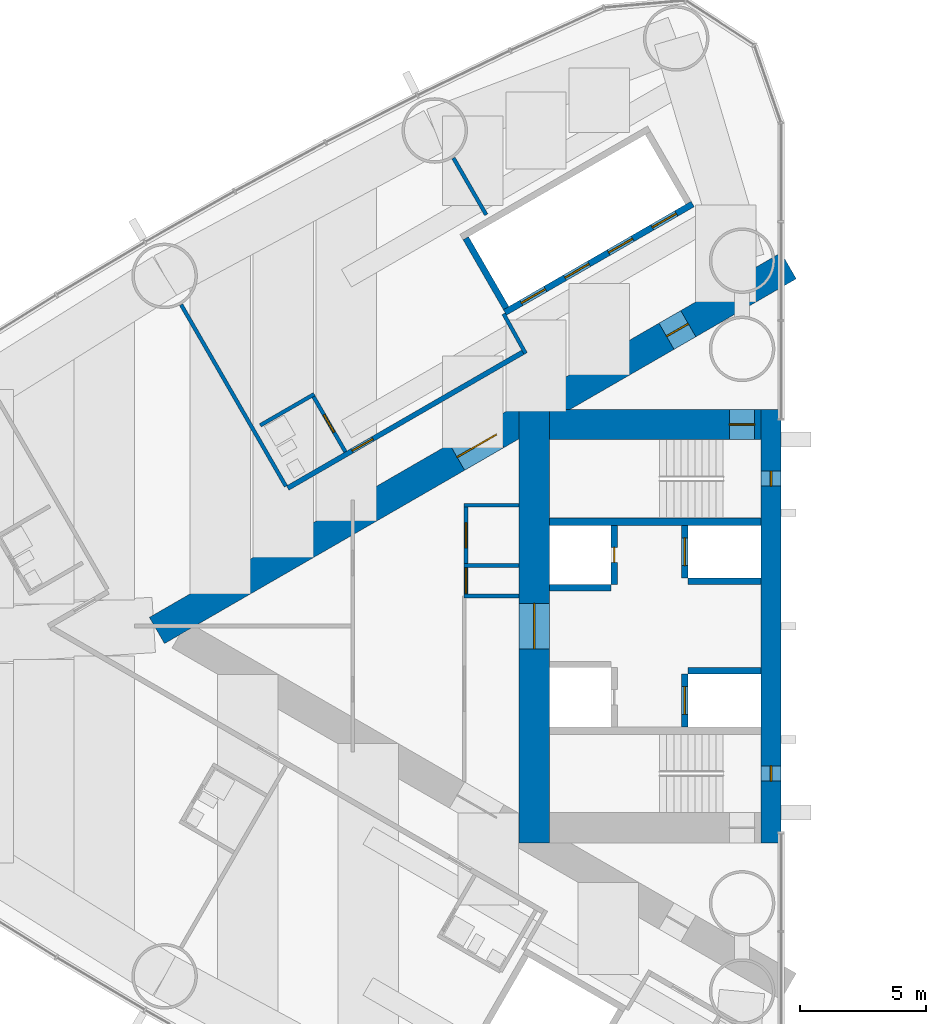
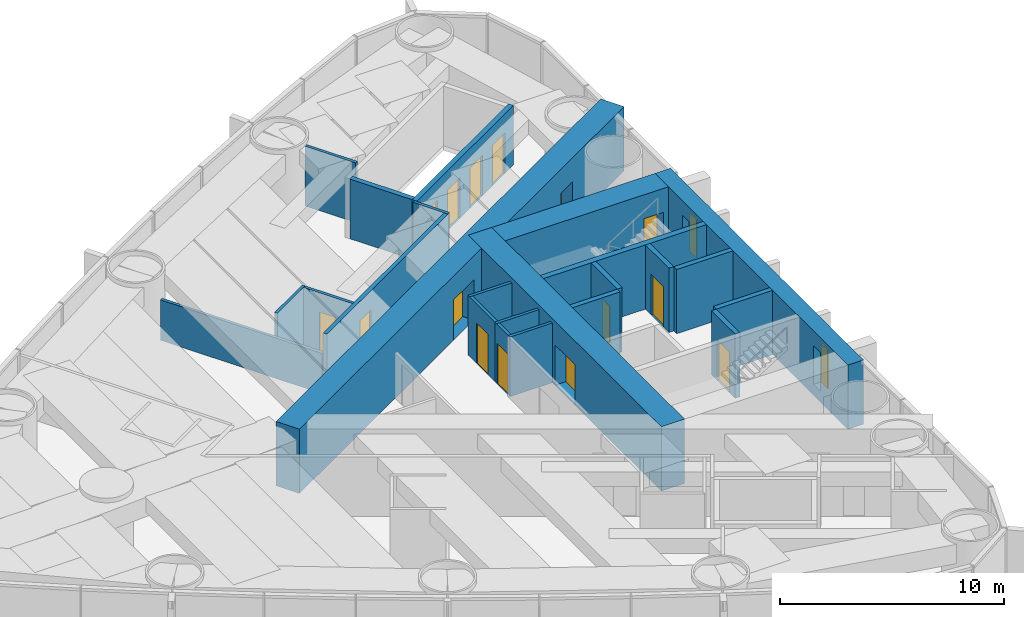
# One storey, part 12 of 19: 24 walls, 15 doors, 2 windows, 17 openings.
"""IFC4 building model written with IfcOpenShell, lengths in metres."""

from ifc_helpers import new_model, si_unit, direction, frame, frame_2d, origin, place, context, subcontext, project, spatial, rectangle, extrude, material, layer, layer_set, type_object, element, fill, save


model = new_model("IFC4")

# Units and contexts
model_context = context("Model", 3, precision=1e-05, world=origin(), true_north=direction((0.0, 1.0)))
body_context = subcontext(model_context, "Body", "Model", "MODEL_VIEW")
ifc_project = project(units=[si_unit("LENGTHUNIT", "METRE"), si_unit("AREAUNIT", "SQUARE_METRE"), si_unit("VOLUMEUNIT", "CUBIC_METRE"), si_unit("PLANEANGLEUNIT", "RADIAN"), si_unit("MASSUNIT", "GRAM", prefix="KILO")], contexts=[model_context])

# Site, building, storey
site_placement = place(None, origin())
site = spatial("IfcSite", under=ifc_project, at=site_placement, CompositionType="ELEMENT")
building_placement = place(site_placement, origin())
building = spatial("IfcBuilding", under=site, at=building_placement, Name="Lancet Gate Hotel", CompositionType="ELEMENT")
storey_placement = place(building_placement, frame((0.0, 0.0, 122.10009765625)))
storey = spatial("IfcBuildingStorey", under=building, at=storey_placement, Name="L32", CompositionType="ELEMENT", Elevation=122.10009765625)

# Wall
ifc_material_1 = material(Name="Moisture resistant board partition")
ifc_layer_1 = layer(ifc_material_1, 0.14990234375)
ifc_layer_set_1 = layer_set([ifc_layer_1], Name="Bathroom wall 150")
wall_type_1 = type_object("IfcWallType", Name="Bathroom wall 150", PredefinedType="PARTITIONING", material=ifc_layer_set_1)
wall_1_placement = place(storey_placement, frame((-46.0263671875, 9.2041015625, 0.0), z_axis=(0.0, 0.0, 1.0), x_axis=(-0.866006523861, -0.500032699561, 0.0)))
element("IfcWall", 1, at=wall_1_placement, inside=storey, type_object=wall_type_1, Name="T1 bathroom wall 150 L32", PredefinedType="PARTITIONING", context=body_context, shape_type="SweptSolid", body=[
    extrude(rectangle(XDim=2.474853515625, YDim=0.14990234375, at=frame_2d((1.2373046875, 0.0))), origin(), (0.0, 0.0, 1.0), 3.25),
])

# Wall, opening, door
wall_2_placement = place(storey_placement, frame((-44.791259765625, 6.9150390625, 0.0), z_axis=(0.0, 0.0, 1.0), x_axis=(-0.500047596559, 0.865997922154, 0.0)))
wall_2 = element("IfcWall", 2, at=wall_2_placement, inside=storey, type_object=wall_type_1, Name="T1 bathroom wall 150 L32", PredefinedType="PARTITIONING", context=body_context, shape_type="SweptSolid", body=[
    extrude(rectangle(XDim=2.599853515625, YDim=0.14990234375, at=frame_2d((1.2998046875, 0.0))), origin(), (0.0, 0.0, 1.0), 3.25),
])
opening_1_placement = place(wall_2_placement, frame((0.89990234375, 0.0, 0.0)))
opening_1 = element("IfcOpeningElement", 3, at=opening_1_placement, cuts=wall_2, Name="Opening 3202-B", PredefinedType="OPENING", context=body_context, shape_type="SweptSolid", body=[
    extrude(rectangle(XDim=0.800048828125, YDim=2.199951171875, at=frame_2d((0.39990234375, 1.10009765625))), frame((0.0, 0.0849609375, 0.0), z_axis=(0.0, -1.0, 0.0), x_axis=(1.0, 0.0, 0.0)), (0.0, 0.0, 1.0), 0.169921875),
])
ifc_material_2 = material(Name="Timber door set", Category="wood")
door_type_1 = type_object("IfcDoorType", Name="Bathroom door 800", OperationType="SINGLE_SWING_RIGHT", PredefinedType="DOOR", material=ifc_material_2)
door_1_placement = place(opening_1_placement, origin())
door_1 = element("IfcDoor", 4, at=door_1_placement, inside=storey, type_object=door_type_1, Name="3202-B", OperationType="SINGLE_SWING_RIGHT", OverallHeight=2.199951171875, OverallWidth=0.800048828125, PredefinedType="DOOR", context=body_context, shape_type="SweptSolid", body=[
    extrude(rectangle(XDim=0.800048828125, YDim=2.199951171875, at=frame_2d((0.39990234375, 1.10009765625))), frame((0.0, 0.02490234375, 0.0), z_axis=(0.0, -1.0, 0.0), x_axis=(1.0, 0.0, 0.0)), (0.0, 0.0, 1.0), 0.050048828125),
])
fill(opening_1, door_1)

# Wall, openings, doors
ifc_material_3 = material(Name="Concrete C70/85", Category="concrete")
ifc_layer_2 = layer(ifc_material_3, 1.199951171875)
ifc_layer_set_2 = layer_set([ifc_layer_2], Name="Buttress wall 1200")
wall_type_2 = type_object("IfcWallType", Name="Buttress wall 1200", PredefinedType="SHEAR", material=ifc_layer_set_2)
wall_3_placement = place(storey_placement, frame((-27.199951171875, 14.300048828125, 0.0), z_axis=(0.0, 0.0, 1.0), x_axis=(-0.866026593062, -0.499997940104, 0.0)))
wall_3 = element("IfcWall", 5, at=wall_3_placement, inside=storey, type_object=wall_type_2, Name="T1 buttress wall S L32", PredefinedType="SHEAR", context=body_context, shape_type="SweptSolid", body=[
    extrude(rectangle(XDim=28.9462890625, YDim=1.199951171875, at=frame_2d((14.47314453125, 0.0))), origin(), (0.0, 0.0, 1.0), 3.5),
])
opening_2_placement = place(wall_3_placement, frame((4.60009765625, 0.0, 0.0)))
opening_2 = element("IfcOpeningElement", 6, at=opening_2_placement, cuts=wall_3, Name="Opening T1-L32-LS", PredefinedType="OPENING", context=body_context, shape_type="SweptSolid", body=[
    extrude(rectangle(XDim=1.0, YDim=2.199951171875, at=frame_2d((0.5, 1.10009765625))), frame((0.0, 0.60986328125, 0.0), z_axis=(0.0, -1.0, 0.0), x_axis=(1.0, 0.0, 0.0)), (0.0, 0.0, 1.0), 1.219970703125),
])
opening_3_placement = place(wall_3_placement, frame((13.39453125, 0.0, 0.0)))
opening_3 = element("IfcOpeningElement", 7, at=opening_3_placement, cuts=wall_3, Name="Opening T1-L32-LHS", PredefinedType="OPENING", context=body_context, shape_type="SweptSolid", body=[
    extrude(rectangle(XDim=1.800048828125, YDim=2.199951171875, at=frame_2d((0.89990234375, 1.10009765625))), frame((0.0, 0.60986328125, 0.0), z_axis=(0.0, -1.0, 0.0), x_axis=(1.0, 0.0, 0.0)), (0.0, 0.0, 1.0), 1.219970703125),
])
ifc_material_4 = material(Name="Timber door set", Category="wood")
door_type_2 = type_object("IfcDoorType", Name="Lobby double door 1800", OperationType="DOUBLE_DOOR_SINGLE_SWING", PredefinedType="DOOR", material=ifc_material_4)
door_2_placement = place(opening_3_placement, origin())
door_2 = element("IfcDoor", 8, at=door_2_placement, inside=storey, type_object=door_type_2, Name="T1-L32-LHS", OperationType="DOUBLE_DOOR_SINGLE_SWING", OverallHeight=2.199951171875, OverallWidth=1.800048828125, PredefinedType="DOOR", context=body_context, shape_type="SweptSolid", body=[
    extrude(rectangle(XDim=1.800048828125, YDim=2.199951171875, at=frame_2d((0.89990234375, 1.10009765625))), frame((0.0, 0.02490234375, 0.0), z_axis=(0.0, -1.0, 0.0), x_axis=(1.0, 0.0, 0.0)), (0.0, 0.0, 1.0), 0.050048828125),
])
fill(opening_3, door_2)
ifc_material_5 = material(Name="Timber door set", Category="wood")
door_type_3 = type_object("IfcDoorType", Name="Stair lobby door 1000", OperationType="SINGLE_SWING_LEFT", PredefinedType="DOOR", material=ifc_material_5)
door_3_placement = place(opening_2_placement, origin())
door_3 = element("IfcDoor", 9, at=door_3_placement, inside=storey, type_object=door_type_3, Name="T1-L32-LS", OperationType="SINGLE_SWING_LEFT", OverallHeight=2.199951171875, OverallWidth=1.0, PredefinedType="DOOR", context=body_context, shape_type="SweptSolid", body=[
    extrude(rectangle(XDim=1.0, YDim=2.199951171875, at=frame_2d((0.5, 1.10009765625))), frame((0.0, 0.02490234375, 0.0), z_axis=(0.0, -1.0, 0.0), x_axis=(1.0, 0.0, 0.0)), (0.0, 0.0, 1.0), 0.050048828125),
])
fill(opening_2, door_3)

# Wall, opening, door
ifc_material_6 = material(Name="Concrete C70/85", Category="concrete")
ifc_layer_3 = layer(ifc_material_6, 1.199951171875)
ifc_layer_set_3 = layer_set([ifc_layer_3], Name="Core wall 1200")
wall_type_3 = type_object("IfcWallType", Name="Core wall 1200", PredefinedType="SHEAR", material=ifc_layer_set_3)
wall_4_placement = place(storey_placement, frame((-37.300048828125, 8.60009765625, 0.0), z_axis=(0.0, 0.0, 1.0), x_axis=(0.0, -1.0, 0.0)))
wall_4 = element("IfcWall", 10, at=wall_4_placement, inside=storey, type_object=wall_type_3, Name="T1 core wall back L32", PredefinedType="SHEAR", context=body_context, shape_type="SweptSolid", body=[
    extrude(rectangle(XDim=17.2001953125, YDim=1.199951171875, at=frame_2d((8.60009765625, 0.0))), origin(), (0.0, 0.0, 1.0), 3.5),
])
opening_4_placement = place(wall_4_placement, frame((7.699951171875, 0.0, 0.0)))
opening_4 = element("IfcOpeningElement", 11, at=opening_4_placement, cuts=wall_4, Name="Opening T1-L32-LL", PredefinedType="OPENING", context=body_context, shape_type="SweptSolid", body=[
    extrude(rectangle(XDim=1.800048828125, YDim=2.199951171875, at=frame_2d((0.89990234375, 1.10009765625))), frame((0.0, 0.60986328125, 0.0), z_axis=(0.0, -1.0, 0.0), x_axis=(1.0, 0.0, 0.0)), (0.0, 0.0, 1.0), 1.219970703125),
])
door_4_placement = place(opening_4_placement, origin())
door_4 = element("IfcDoor", 12, at=door_4_placement, inside=storey, type_object=door_type_2, Name="T1-L32-LL", OperationType="DOUBLE_DOOR_SINGLE_SWING", OverallHeight=2.199951171875, OverallWidth=1.800048828125, PredefinedType="DOOR", context=body_context, shape_type="SweptSolid", body=[
    extrude(rectangle(XDim=1.800048828125, YDim=2.199951171875, at=frame_2d((0.89990234375, 1.10009765625))), frame((0.0, 0.02490234375, 0.0), z_axis=(0.0, -1.0, 0.0), x_axis=(1.0, 0.0, 0.0)), (0.0, 0.0, 1.0), 0.050048828125),
])
fill(opening_4, door_4)

wall_5_placement = place(storey_placement, frame((-28.300048828125, 8.0, 0.0), z_axis=(0.0, 0.0, 1.0), x_axis=(-1.0, 0.0, 0.0)))
wall_5 = element("IfcWall", 13, at=wall_5_placement, inside=storey, type_object=wall_type_3, Name="T1 core wall side-S L32", PredefinedType="SHEAR", context=body_context, shape_type="SweptSolid", body=[
    extrude(rectangle(XDim=8.39990234375, YDim=1.199951171875, at=frame_2d((4.199951171875, 0.0))), origin(), (0.0, 0.0, 1.0), 3.5),
])
opening_5_placement = place(wall_5_placement, frame((0.25, 0.0, 0.0)))
opening_5 = element("IfcOpeningElement", 14, at=opening_5_placement, cuts=wall_5, Name="Opening T1-L32-ST1", PredefinedType="OPENING", context=body_context, shape_type="SweptSolid", body=[
    extrude(rectangle(XDim=1.0, YDim=2.199951171875, at=frame_2d((0.5, 1.10009765625))), frame((0.0, 0.60986328125, 0.0), z_axis=(0.0, -1.0, 0.0), x_axis=(1.0, 0.0, 0.0)), (0.0, 0.0, 1.0), 1.219970703125),
])
ifc_material_7 = material(Name="Timber door set", Category="wood")
door_type_4 = type_object("IfcDoorType", Name="Stair door 1000", OperationType="SINGLE_SWING_RIGHT", PredefinedType="DOOR", material=ifc_material_7)
door_5_placement = place(opening_5_placement, origin())
door_5 = element("IfcDoor", 15, at=door_5_placement, inside=storey, type_object=door_type_4, Name="T1-L32-ST1", OperationType="SINGLE_SWING_RIGHT", OverallHeight=2.199951171875, OverallWidth=1.0, PredefinedType="DOOR", context=body_context, shape_type="SweptSolid", body=[
    extrude(rectangle(XDim=1.0, YDim=2.199951171875, at=frame_2d((0.5, 1.10009765625))), frame((0.0, 0.02490234375, 0.0), z_axis=(0.0, -1.0, 0.0), x_axis=(1.0, 0.0, 0.0)), (0.0, 0.0, 1.0), 0.050048828125),
])
fill(opening_5, door_5)

# Wall, openings, windows
ifc_material_8 = material(Name="Concrete C70/85", Category="concrete")
ifc_layer_4 = layer(ifc_material_8, 0.800048828125)
ifc_layer_set_4 = layer_set([ifc_layer_4], Name="Core wall 800")
wall_type_4 = type_object("IfcWallType", Name="Core wall 800", PredefinedType="SHEAR", material=ifc_layer_set_4)
wall_6_placement = place(storey_placement, frame((-27.89990234375, 8.60009765625, 0.0), z_axis=(0.0, 0.0, 1.0), x_axis=(0.0, -1.0, 0.0)))
wall_6 = element("IfcWall", 16, at=wall_6_placement, inside=storey, type_object=wall_type_4, Name="T1 core wall front L32", PredefinedType="SHEAR", context=body_context, shape_type="SweptSolid", body=[
    extrude(rectangle(XDim=17.2001953125, YDim=0.800048828125, at=frame_2d((8.60009765625, 0.0))), origin(), (0.0, 0.0, 1.0), 3.5),
])
opening_6_placement = place(wall_6_placement, frame((2.449951171875, 0.0, 0.60009765625)))
opening_6 = element("IfcOpeningElement", 17, at=opening_6_placement, cuts=wall_6, Name="Opening LW1", PredefinedType="OPENING", context=body_context, shape_type="SweptSolid", body=[
    extrude(rectangle(XDim=0.60009765625, YDim=2.10009765625, at=frame_2d((0.300048828125, 1.050048828125))), frame((0.0, 0.409912109375, 0.0), z_axis=(0.0, -1.0, 0.0), x_axis=(1.0, 0.0, 0.0)), (0.0, 0.0, 1.0), 0.820068359375),
])
opening_7_placement = place(wall_6_placement, frame((14.14990234375, 0.0, 0.60009765625)))
opening_7 = element("IfcOpeningElement", 18, at=opening_7_placement, cuts=wall_6, Name="Opening LW1", PredefinedType="OPENING", context=body_context, shape_type="SweptSolid", body=[
    extrude(rectangle(XDim=0.60009765625, YDim=2.10009765625, at=frame_2d((0.300048828125, 1.050048828125))), frame((0.0, 0.409912109375, 0.0), z_axis=(0.0, -1.0, 0.0), x_axis=(1.0, 0.0, 0.0)), (0.0, 0.0, 1.0), 0.820068359375),
])
ifc_material_9 = material(Name="Fire-resisting glazed steel window", Category="steel")
window_type = type_object("IfcWindowType", Name="Lancet window 600x2100", PartitioningType="SINGLE_PANEL", PredefinedType="WINDOW", material=ifc_material_9)
window_1_placement = place(opening_6_placement, origin())
window_1 = element("IfcWindow", 19, at=window_1_placement, inside=storey, type_object=window_type, Name="T1 stair window S L32", OverallHeight=2.10009765625, OverallWidth=0.60009765625, PartitioningType="SINGLE_PANEL", PredefinedType="WINDOW", context=body_context, shape_type="SweptSolid", body=[
    extrude(rectangle(XDim=0.60009765625, YDim=2.10009765625, at=frame_2d((0.300048828125, 1.050048828125))), frame((0.0, 0.030029296875, 0.0), z_axis=(0.0, -1.0, 0.0), x_axis=(1.0, 0.0, 0.0)), (0.0, 0.0, 1.0), 0.06005859375),
])
fill(opening_6, window_1)
window_2_placement = place(opening_7_placement, origin())
window_2 = element("IfcWindow", 20, at=window_2_placement, inside=storey, type_object=window_type, Name="T1 stair window N L32", OverallHeight=2.10009765625, OverallWidth=0.60009765625, PartitioningType="SINGLE_PANEL", PredefinedType="WINDOW", context=body_context, shape_type="SweptSolid", body=[
    extrude(rectangle(XDim=0.60009765625, YDim=2.10009765625, at=frame_2d((0.300048828125, 1.050048828125))), frame((0.0, 0.030029296875, 0.0), z_axis=(0.0, -1.0, 0.0), x_axis=(1.0, 0.0, 0.0)), (0.0, 0.0, 1.0), 0.06005859375),
])
fill(opening_7, window_2)

# Wall, opening, door
ifc_material_10 = material(Name="Gypsum board partition")
ifc_layer_5 = layer(ifc_material_10, 0.199951171875)
ifc_layer_set_5 = layer_set([ifc_layer_5], Name="Corridor wall 200")
wall_type_5 = type_object("IfcWallType", Name="Corridor wall 200", PredefinedType="PARTITIONING", material=ifc_layer_set_5)
wall_7_placement = place(storey_placement, frame((-37.699951171875, 10.8935546875, 0.0), z_axis=(0.0, 0.0, 1.0), x_axis=(-0.866027551079, -0.499996280759, 0.0)))
wall_7 = element("IfcWall", 21, at=wall_7_placement, inside=storey, type_object=wall_type_5, Name="T1 corridor wall 200 L32", PredefinedType="PARTITIONING", context=body_context, shape_type="SweptSolid", body=[
    extrude(rectangle(XDim=10.83056640625, YDim=0.199951171875, at=frame_2d((5.415283203125, 0.0))), origin(), (0.0, 0.0, 1.0), 3.25),
])
opening_8_placement = place(wall_7_placement, frame((6.930419921875, 0.0, 0.0)))
opening_8 = element("IfcOpeningElement", 22, at=opening_8_placement, cuts=wall_7, Name="Opening 3202-E", PredefinedType="OPENING", context=body_context, shape_type="SweptSolid", body=[
    extrude(rectangle(XDim=0.949951171875, YDim=2.199951171875, at=frame_2d((0.47509765625, 1.10009765625))), frame((0.0, 0.10986328125, 0.0), z_axis=(0.0, -1.0, 0.0), x_axis=(1.0, 0.0, 0.0)), (0.0, 0.0, 1.0), 0.219970703125),
])
ifc_material_11 = material(Name="Timber door set", Category="wood")
door_type_5 = type_object("IfcDoorType", Name="Guest room entry door 950", OperationType="SINGLE_SWING_LEFT", PredefinedType="DOOR", material=ifc_material_11)
door_6_placement = place(opening_8_placement, origin())
door_6 = element("IfcDoor", 23, at=door_6_placement, inside=storey, type_object=door_type_5, Name="3202-E", OperationType="SINGLE_SWING_LEFT", OverallHeight=2.199951171875, OverallWidth=0.949951171875, PredefinedType="DOOR", context=body_context, shape_type="SweptSolid", body=[
    extrude(rectangle(XDim=0.949951171875, YDim=2.199951171875, at=frame_2d((0.47509765625, 1.10009765625))), frame((0.0, 0.02490234375, 0.0), z_axis=(0.0, -1.0, 0.0), x_axis=(1.0, 0.0, 0.0)), (0.0, 0.0, 1.0), 0.050048828125),
])
fill(opening_8, door_6)

# Wall, openings, doors
ifc_material_12 = material(Name="Gypsum board partition")
ifc_layer_6 = layer(ifc_material_12, 0.25)
ifc_layer_set_6 = layer_set([ifc_layer_6], Name="Lift shaft partition 250")
wall_type_6 = type_object("IfcWallType", Name="Lift shaft partition 250", PredefinedType="PARTITIONING", material=ifc_layer_set_6)
wall_8_placement = place(storey_placement, frame((-31.010498046875, 16.747314453125, 0.0), z_axis=(0.0, 0.0, 1.0), x_axis=(-0.866028165386, -0.499995216735, 0.0)))
wall_8 = element("IfcWall", 24, at=wall_8_placement, inside=storey, type_object=wall_type_6, Name="T1 lift shaft wall LR L32", PredefinedType="PARTITIONING", context=body_context, shape_type="SweptSolid", body=[
    extrude(rectangle(XDim=8.60009765625, YDim=0.25, at=frame_2d((4.300048828125, 0.0))), origin(), (0.0, 0.0, 1.0), 3.25),
])
opening_9_placement = place(wall_8_placement, frame((0.75, 0.0, 0.0)))
opening_9 = element("IfcOpeningElement", 25, at=opening_9_placement, cuts=wall_8, Name="Opening T1-LR1-L32", PredefinedType="OPENING", context=body_context, shape_type="SweptSolid", body=[
    extrude(rectangle(XDim=1.10009765625, YDim=2.199951171875, at=frame_2d((0.550048828125, 1.10009765625))), frame((0.0, 0.135009765625, 0.0), z_axis=(0.0, -1.0, 0.0), x_axis=(1.0, 0.0, 0.0)), (0.0, 0.0, 1.0), 0.27001953125),
])
opening_10_placement = place(wall_8_placement, frame((2.75, 0.0, 0.0)))
opening_10 = element("IfcOpeningElement", 26, at=opening_10_placement, cuts=wall_8, Name="Opening T1-LR2-L32", PredefinedType="OPENING", context=body_context, shape_type="SweptSolid", body=[
    extrude(rectangle(XDim=1.10009765625, YDim=2.199951171875, at=frame_2d((0.550048828125, 1.10009765625))), frame((0.0, 0.135009765625, 0.0), z_axis=(0.0, -1.0, 0.0), x_axis=(1.0, 0.0, 0.0)), (0.0, 0.0, 1.0), 0.27001953125),
])
opening_11_placement = place(wall_8_placement, frame((4.75, 0.0, 0.0)))
opening_11 = element("IfcOpeningElement", 27, at=opening_11_placement, cuts=wall_8, Name="Opening T1-LR3-L32", PredefinedType="OPENING", context=body_context, shape_type="SweptSolid", body=[
    extrude(rectangle(XDim=1.10009765625, YDim=2.199951171875, at=frame_2d((0.550048828125, 1.10009765625))), frame((0.0, 0.135009765625, 0.0), z_axis=(0.0, -1.0, 0.0), x_axis=(1.0, 0.0, 0.0)), (0.0, 0.0, 1.0), 0.27001953125),
])
opening_12_placement = place(wall_8_placement, frame((6.75, 0.0, 0.0)))
opening_12 = element("IfcOpeningElement", 28, at=opening_12_placement, cuts=wall_8, Name="Opening T1-LR4-L32", PredefinedType="OPENING", context=body_context, shape_type="SweptSolid", body=[
    extrude(rectangle(XDim=1.10009765625, YDim=2.199951171875, at=frame_2d((0.550048828125, 1.10009765625))), frame((0.0, 0.135009765625, 0.0), z_axis=(0.0, -1.0, 0.0), x_axis=(1.0, 0.0, 0.0)), (0.0, 0.0, 1.0), 0.27001953125),
])
ifc_material_13 = material(Name="Steel door set", Category="steel")
door_type_6 = type_object("IfcDoorType", Name="Lift landing door 1100", OperationType="DOUBLE_DOOR_SLIDING", PredefinedType="USERDEFINED", material=ifc_material_13)
door_7_placement = place(opening_9_placement, origin())
door_7 = element("IfcDoor", 29, at=door_7_placement, inside=storey, type_object=door_type_6, Name="T1-LR1-L32", ObjectType="LIFT LANDING DOOR", OperationType="DOUBLE_DOOR_SLIDING", OverallHeight=2.199951171875, OverallWidth=1.10009765625, PredefinedType="USERDEFINED", context=body_context, shape_type="SweptSolid", body=[
    extrude(rectangle(XDim=1.10009765625, YDim=2.199951171875, at=frame_2d((0.550048828125, 1.10009765625))), frame((0.0, 0.02490234375, 0.0), z_axis=(0.0, -1.0, 0.0), x_axis=(1.0, 0.0, 0.0)), (0.0, 0.0, 1.0), 0.050048828125),
])
fill(opening_9, door_7)
door_8_placement = place(opening_10_placement, origin())
door_8 = element("IfcDoor", 30, at=door_8_placement, inside=storey, type_object=door_type_6, Name="T1-LR2-L32", ObjectType="LIFT LANDING DOOR", OperationType="DOUBLE_DOOR_SLIDING", OverallHeight=2.199951171875, OverallWidth=1.10009765625, PredefinedType="USERDEFINED", context=body_context, shape_type="SweptSolid", body=[
    extrude(rectangle(XDim=1.10009765625, YDim=2.199951171875, at=frame_2d((0.550048828125, 1.10009765625))), frame((0.0, 0.02490234375, 0.0), z_axis=(0.0, -1.0, 0.0), x_axis=(1.0, 0.0, 0.0)), (0.0, 0.0, 1.0), 0.050048828125),
])
fill(opening_10, door_8)
door_9_placement = place(opening_11_placement, origin())
door_9 = element("IfcDoor", 31, at=door_9_placement, inside=storey, type_object=door_type_6, Name="T1-LR3-L32", ObjectType="LIFT LANDING DOOR", OperationType="DOUBLE_DOOR_SLIDING", OverallHeight=2.199951171875, OverallWidth=1.10009765625, PredefinedType="USERDEFINED", context=body_context, shape_type="SweptSolid", body=[
    extrude(rectangle(XDim=1.10009765625, YDim=2.199951171875, at=frame_2d((0.550048828125, 1.10009765625))), frame((0.0, 0.02490234375, 0.0), z_axis=(0.0, -1.0, 0.0), x_axis=(1.0, 0.0, 0.0)), (0.0, 0.0, 1.0), 0.050048828125),
])
fill(opening_11, door_9)
door_10_placement = place(opening_12_placement, origin())
door_10 = element("IfcDoor", 32, at=door_10_placement, inside=storey, type_object=door_type_6, Name="T1-LR4-L32", ObjectType="LIFT LANDING DOOR", OperationType="DOUBLE_DOOR_SLIDING", OverallHeight=2.199951171875, OverallWidth=1.10009765625, PredefinedType="USERDEFINED", context=body_context, shape_type="SweptSolid", body=[
    extrude(rectangle(XDim=1.10009765625, YDim=2.199951171875, at=frame_2d((0.550048828125, 1.10009765625))), frame((0.0, 0.02490234375, 0.0), z_axis=(0.0, -1.0, 0.0), x_axis=(1.0, 0.0, 0.0)), (0.0, 0.0, 1.0), 0.050048828125),
])
fill(opening_12, door_10)

# Wall
wall_9_placement = place(storey_placement, frame((-38.412841796875, 12.617919921875, 0.0), z_axis=(0.0, 0.0, 1.0), x_axis=(-0.499872130319, 0.866099216793, 0.0)))
element("IfcWall", 33, at=wall_9_placement, inside=storey, type_object=wall_type_6, Name="T1 lift shaft wall LR L32", PredefinedType="PARTITIONING", context=body_context, shape_type="SweptSolid", body=[
    extrude(rectangle(XDim=3.200439453125, YDim=0.25, at=frame_2d((1.60009765625, 0.0))), origin(), (0.0, 0.0, 1.0), 3.25),
])

# Wall, opening, door
ifc_material_14 = material(Name="Concrete C50/60", Category="concrete")
ifc_layer_7 = layer(ifc_material_14, 0.25)
ifc_layer_set_7 = layer_set([ifc_layer_7], Name="Lift shaft wall 250")
wall_type_7 = type_object("IfcWallType", Name="Lift shaft wall 250", PredefinedType="SHEAR", material=ifc_layer_set_7)
wall_10_placement = place(storey_placement, frame((-31.324951171875, 4.0, 0.0), z_axis=(0.0, 0.0, 1.0), x_axis=(0.0, -1.0, 0.0)))
wall_10 = element("IfcWall", 34, at=wall_10_placement, inside=storey, type_object=wall_type_7, Name="T1 core wall row1-S L32", PredefinedType="SHEAR", context=body_context, shape_type="SweptSolid", body=[
    extrude(rectangle(XDim=2.10009765625, YDim=0.25, at=frame_2d((1.050048828125, 0.0))), origin(), (0.0, 0.0, 1.0), 3.5),
])
opening_13_placement = place(wall_10_placement, frame((0.5, 0.0, 0.0)))
opening_13 = element("IfcOpeningElement", 35, at=opening_13_placement, cuts=wall_10, Name="Opening T1-SL1-L32", PredefinedType="OPENING", context=body_context, shape_type="SweptSolid", body=[
    extrude(rectangle(XDim=1.10009765625, YDim=2.199951171875, at=frame_2d((0.550048828125, 1.10009765625))), frame((0.0, 0.135009765625, 0.0), z_axis=(0.0, -1.0, 0.0), x_axis=(1.0, 0.0, 0.0)), (0.0, 0.0, 1.0), 0.27001953125),
])
ifc_material_15 = material(Name="Timber door set", Category="wood")
door_type_7 = type_object("IfcDoorType", Name="Service lift landing door 1100", OperationType="SLIDING_TO_LEFT", PredefinedType="USERDEFINED", material=ifc_material_15)
door_11_placement = place(opening_13_placement, origin())
door_11 = element("IfcDoor", 36, at=door_11_placement, inside=storey, type_object=door_type_7, Name="T1-SL1-L32", ObjectType="LIFT LANDING DOOR", OperationType="SLIDING_TO_LEFT", OverallHeight=2.199951171875, OverallWidth=1.10009765625, PredefinedType="USERDEFINED", context=body_context, shape_type="SweptSolid", body=[
    extrude(rectangle(XDim=1.10009765625, YDim=2.199951171875, at=frame_2d((0.550048828125, 1.10009765625))), frame((0.0, 0.02490234375, 0.0), z_axis=(0.0, -1.0, 0.0), x_axis=(1.0, 0.0, 0.0)), (0.0, 0.0, 1.0), 0.050048828125),
])
fill(opening_13, door_11)

wall_11_placement = place(storey_placement, frame((-34.125, 4.0, 0.0), z_axis=(0.0, 0.0, 1.0), x_axis=(0.0, -1.0, 0.0)))
wall_11 = element("IfcWall", 37, at=wall_11_placement, inside=storey, type_object=wall_type_7, Name="T1 core wall row2-S L32", PredefinedType="SHEAR", context=body_context, shape_type="SweptSolid", body=[
    extrude(rectangle(XDim=2.35009765625, YDim=0.25, at=frame_2d((1.175048828125, 0.0))), origin(), (0.0, 0.0, 1.0), 3.5),
])
opening_14_placement = place(wall_11_placement, frame((0.875, 0.0, 0.0)))
opening_14 = element("IfcOpeningElement", 38, at=opening_14_placement, cuts=wall_11, Name="Opening T1-OL3-L32-E", PredefinedType="OPENING", context=body_context, shape_type="SweptSolid", body=[
    extrude(rectangle(XDim=0.60009765625, YDim=2.0, at=frame_2d((0.300048828125, 1.0))), frame((0.0, 0.135009765625, 0.0), z_axis=(0.0, -1.0, 0.0), x_axis=(1.0, 0.0, 0.0)), (0.0, 0.0, 1.0), 0.27001953125),
])
ifc_material_16 = material(Name="Steel door set", Category="steel")
door_type_8 = type_object("IfcDoorType", Name="Lift shaft emergency door 600x2000", OperationType="SLIDING_TO_LEFT", PredefinedType="DOOR", material=ifc_material_16)
door_12_placement = place(opening_14_placement, origin())
door_12 = element("IfcDoor", 39, at=door_12_placement, inside=storey, type_object=door_type_8, Name="T1-OL3-L32-E", OperationType="SLIDING_TO_LEFT", OverallHeight=2.0, OverallWidth=0.60009765625, PredefinedType="DOOR", context=body_context, shape_type="SweptSolid", body=[
    extrude(rectangle(XDim=0.60009765625, YDim=2.0, at=frame_2d((0.300048828125, 1.0))), frame((0.0, 0.02490234375, 0.0), z_axis=(0.0, -1.0, 0.0), x_axis=(1.0, 0.0, 0.0)), (0.0, 0.0, 1.0), 0.050048828125),
])
fill(opening_14, door_12)

# Walls
wall_12_placement = place(storey_placement, frame((-28.300048828125, 1.77490234375, 0.0), z_axis=(0.0, 0.0, 1.0), x_axis=(-1.0, 0.0, 0.0)))
element("IfcWall", 40, at=wall_12_placement, inside=storey, type_object=wall_type_7, Name="T1 core wall pass1-S L32", PredefinedType="SHEAR", context=body_context, shape_type="SweptSolid", body=[
    extrude(rectangle(XDim=2.89990234375, YDim=0.25, at=frame_2d((1.449951171875, 0.0))), origin(), (0.0, 0.0, 1.0), 3.5),
])
wall_13_placement = place(storey_placement, frame((-34.25, 1.52490234375, 0.0), z_axis=(0.0, 0.0, 1.0), x_axis=(-1.0, 0.0, 0.0)))
element("IfcWall", 41, at=wall_13_placement, inside=storey, type_object=wall_type_7, Name="T1 core wall pass2-S L32", PredefinedType="SHEAR", context=body_context, shape_type="SweptSolid", body=[
    extrude(rectangle(XDim=2.449951171875, YDim=0.25, at=frame_2d((1.22509765625, 0.0))), origin(), (0.0, 0.0, 1.0), 3.5),
])

# Wall, opening, door
wall_14_placement = place(storey_placement, frame((-31.324951171875, -1.89990234375, 0.0), z_axis=(0.0, 0.0, 1.0), x_axis=(0.0, -1.0, 0.0)))
wall_14 = element("IfcWall", 42, at=wall_14_placement, inside=storey, type_object=wall_type_7, Name="T1 core wall row1-N L32", PredefinedType="SHEAR", context=body_context, shape_type="SweptSolid", body=[
    extrude(rectangle(XDim=2.10009765625, YDim=0.25, at=frame_2d((1.050048828125, 0.0))), origin(), (0.0, 0.0, 1.0), 3.5),
])
opening_15_placement = place(wall_14_placement, frame((0.5, 0.0, 0.0)))
opening_15 = element("IfcOpeningElement", 43, at=opening_15_placement, cuts=wall_14, Name="Opening T1-FL2-L32", PredefinedType="OPENING", context=body_context, shape_type="SweptSolid", body=[
    extrude(rectangle(XDim=1.10009765625, YDim=2.199951171875, at=frame_2d((0.550048828125, 1.10009765625))), frame((0.0, 0.135009765625, 0.0), z_axis=(0.0, -1.0, 0.0), x_axis=(1.0, 0.0, 0.0)), (0.0, 0.0, 1.0), 0.27001953125),
])
ifc_material_17 = material(Name="Steel door set", Category="steel")
door_type_9 = type_object("IfcDoorType", Name="Firefighting lift landing door 1100", OperationType="SLIDING_TO_LEFT", PredefinedType="USERDEFINED", material=ifc_material_17)
door_13_placement = place(opening_15_placement, origin())
door_13 = element("IfcDoor", 44, at=door_13_placement, inside=storey, type_object=door_type_9, Name="T1-FL2-L32", ObjectType="LIFT LANDING DOOR", OperationType="SLIDING_TO_LEFT", OverallHeight=2.199951171875, OverallWidth=1.10009765625, PredefinedType="USERDEFINED", context=body_context, shape_type="SweptSolid", body=[
    extrude(rectangle(XDim=1.10009765625, YDim=2.199951171875, at=frame_2d((0.550048828125, 1.10009765625))), frame((0.0, 0.02490234375, 0.0), z_axis=(0.0, -1.0, 0.0), x_axis=(1.0, 0.0, 0.0)), (0.0, 0.0, 1.0), 0.050048828125),
])
fill(opening_15, door_13)

# Walls
wall_15_placement = place(storey_placement, frame((-28.300048828125, -1.77490234375, 0.0), z_axis=(0.0, 0.0, 1.0), x_axis=(-1.0, 0.0, 0.0)))
element("IfcWall", 45, at=wall_15_placement, inside=storey, type_object=wall_type_7, Name="T1 core wall pass1-N L32", PredefinedType="SHEAR", context=body_context, shape_type="SweptSolid", body=[
    extrude(rectangle(XDim=2.89990234375, YDim=0.25, at=frame_2d((1.449951171875, 0.0))), origin(), (0.0, 0.0, 1.0), 3.5),
])
ifc_material_18 = material(Name="Gypsum board partition")
ifc_layer_8 = layer(ifc_material_18, 0.14990234375)
ifc_layer_set_8 = layer_set([ifc_layer_8], Name="Party wall 150")
wall_type_8 = type_object("IfcWallType", Name="Party wall 150", PredefinedType="PARTITIONING", material=ifc_layer_set_8)
wall_16_placement = place(storey_placement, frame((-47.151123046875, 5.552490234375, 0.0), z_axis=(0.0, 0.0, 1.0), x_axis=(-0.500003012045, 0.866023664773, 0.0)))
element("IfcWall", 46, at=wall_16_placement, inside=storey, type_object=wall_type_8, Name="T1 party wall 150 L32", PredefinedType="PARTITIONING", context=body_context, shape_type="SweptSolid", body=[
    extrude(rectangle(XDim=8.31103515625, YDim=0.14990234375, at=frame_2d((4.155517578125, 0.0))), origin(), (0.0, 0.0, 1.0), 2.199951171875),
])
wall_17_placement = place(storey_placement, frame((-39.202392578125, 16.31982421875, 0.0), z_axis=(0.0, 0.0, 1.0), x_axis=(-0.499947391036, 0.866055775454, 0.0)))
element("IfcWall", 47, at=wall_17_placement, inside=storey, type_object=wall_type_8, Name="T1 party wall 150 L32", PredefinedType="PARTITIONING", context=body_context, shape_type="SweptSolid", body=[
    extrude(rectangle(XDim=2.599365234375, YDim=0.14990234375, at=frame_2d((1.2998046875, 0.0))), origin(), (0.0, 0.0, 1.0), 3.25),
])
ifc_material_19 = material(Name="Gypsum board partition")
ifc_layer_9 = layer(ifc_material_19, 0.14990234375)
ifc_layer_set_9 = layer_set([ifc_layer_9], Name="Service room wall 150")
wall_type_9 = type_object("IfcWallType", Name="Service room wall 150", PredefinedType="PARTITIONING", material=ifc_layer_set_9)
wall_18_placement = place(storey_placement, frame((-38.513427734375, 12.392333984375, 0.0), z_axis=(0.0, 0.0, 1.0), x_axis=(0.485585508183, -0.874189175317, 0.0)))
element("IfcWall", 48, at=wall_18_placement, inside=storey, type_object=wall_type_9, Name="T1 service room wall 150 L32", PredefinedType="PARTITIONING", context=body_context, shape_type="SweptSolid", body=[
    extrude(rectangle(XDim=1.804931640625, YDim=0.14990234375, at=frame_2d((0.90234375, 0.0))), origin(), (0.0, 0.0, 1.0), 3.25),
])
for number, where, z_axis, x_axis, name in (
    (49, (-37.89990234375, 1.199951171875, 0.0), (0.0, 0.0, 1.0), (-1.0, 0.0, 0.0), "T1 service room wall 150 L32"),
    (50, (-37.89990234375, 2.39990234375, 0.0), (0.0, 0.0, 1.0), (-1.0, 0.0, 0.0), "T1 service room wall 150 L32"),
    (51, (-37.89990234375, 4.800048828125, 0.0), (0.0, 0.0, 1.0), (-1.0, 0.0, 0.0), "T1 service room wall 150 L32"),
):
    element("IfcWall", number, at=place(storey_placement, frame(where, z_axis=z_axis, x_axis=x_axis)), inside=storey, type_object=wall_type_9, Name=name, PredefinedType="PARTITIONING", context=body_context, shape_type="SweptSolid", body=[
        extrude(rectangle(XDim=2.175048828125, YDim=0.14990234375, at=frame_2d((1.08740234375, 0.0))), origin(), (0.0, 0.0, 1.0), 3.25),
    ])

# Wall, opening, door
wall_19_placement = place(storey_placement, frame((-40.0, 2.47509765625, 0.0), z_axis=(0.0, 0.0, 1.0), x_axis=(0.0, -1.0, 0.0)))
wall_19 = element("IfcWall", 52, at=wall_19_placement, inside=storey, type_object=wall_type_9, Name="T1 service room wall 150 L32", PredefinedType="PARTITIONING", context=body_context, shape_type="SweptSolid", body=[
    extrude(rectangle(XDim=1.35009765625, YDim=0.14990234375, at=frame_2d((0.675048828125, 0.0))), origin(), (0.0, 0.0, 1.0), 3.25),
])
opening_16_placement = place(wall_19_placement, frame((0.175048828125, 0.0, 0.0)))
opening_16 = element("IfcOpeningElement", 53, at=opening_16_placement, cuts=wall_19, Name="Opening T1-L32-HRS0", PredefinedType="OPENING", context=body_context, shape_type="SweptSolid", body=[
    extrude(rectangle(XDim=1.0, YDim=2.199951171875, at=frame_2d((0.5, 1.10009765625))), frame((0.0, 0.0849609375, 0.0), z_axis=(0.0, -1.0, 0.0), x_axis=(1.0, 0.0, 0.0)), (0.0, 0.0, 1.0), 0.169921875),
])
ifc_material_20 = material(Name="Timber door set", Category="wood")
door_type_10 = type_object("IfcDoorType", Name="Service door 1000", OperationType="SINGLE_SWING_LEFT", PredefinedType="DOOR", material=ifc_material_20)
door_14_placement = place(opening_16_placement, origin())
door_14 = element("IfcDoor", 54, at=door_14_placement, inside=storey, type_object=door_type_10, Name="T1-L32-HRS0", OperationType="SINGLE_SWING_LEFT", OverallHeight=2.199951171875, OverallWidth=1.0, PredefinedType="DOOR", context=body_context, shape_type="SweptSolid", body=[
    extrude(rectangle(XDim=1.0, YDim=2.199951171875, at=frame_2d((0.5, 1.10009765625))), frame((0.0, 0.02490234375, 0.0), z_axis=(0.0, -1.0, 0.0), x_axis=(1.0, 0.0, 0.0)), (0.0, 0.0, 1.0), 0.050048828125),
])
fill(opening_16, door_14)

wall_20_placement = place(storey_placement, frame((-40.0, 4.875, 0.0), z_axis=(0.0, 0.0, 1.0), x_axis=(0.0, -1.0, 0.0)))
wall_20 = element("IfcWall", 55, at=wall_20_placement, inside=storey, type_object=wall_type_9, Name="T1 service room wall 150 L32", PredefinedType="PARTITIONING", context=body_context, shape_type="SweptSolid", body=[
    extrude(rectangle(XDim=2.550048828125, YDim=0.14990234375, at=frame_2d((1.27490234375, 0.0))), origin(), (0.0, 0.0, 1.0), 3.25),
])
opening_17_placement = place(wall_20_placement, frame((0.77490234375, 0.0, 0.0)))
opening_17 = element("IfcOpeningElement", 56, at=opening_17_placement, cuts=wall_20, Name="Opening T1-L32-HRS1", PredefinedType="OPENING", context=body_context, shape_type="SweptSolid", body=[
    extrude(rectangle(XDim=1.0, YDim=2.199951171875, at=frame_2d((0.5, 1.10009765625))), frame((0.0, 0.0849609375, 0.0), z_axis=(0.0, -1.0, 0.0), x_axis=(1.0, 0.0, 0.0)), (0.0, 0.0, 1.0), 0.169921875),
])
door_15_placement = place(opening_17_placement, origin())
door_15 = element("IfcDoor", 57, at=door_15_placement, inside=storey, type_object=door_type_10, Name="T1-L32-HRS1", OperationType="SINGLE_SWING_LEFT", OverallHeight=2.199951171875, OverallWidth=1.0, PredefinedType="DOOR", context=body_context, shape_type="SweptSolid", body=[
    extrude(rectangle(XDim=1.0, YDim=2.199951171875, at=frame_2d((0.5, 1.10009765625))), frame((0.0, 0.02490234375, 0.0), z_axis=(0.0, -1.0, 0.0), x_axis=(1.0, 0.0, 0.0)), (0.0, 0.0, 1.0), 0.050048828125),
])
fill(opening_17, door_15)

# Wall
ifc_material_21 = material(Name="Concrete C50/60", Category="concrete")
ifc_layer_10 = layer(ifc_material_21, 0.300048828125)
ifc_layer_set_10 = layer_set([ifc_layer_10], Name="Stair enclosure wall 300")
wall_type_10 = type_object("IfcWallType", Name="Stair enclosure wall 300", PredefinedType="SHEAR", material=ifc_layer_set_10)
wall_21_placement = place(storey_placement, frame((-28.300048828125, 4.14990234375, 0.0), z_axis=(0.0, 0.0, 1.0), x_axis=(-1.0, 0.0, 0.0)))
element("IfcWall", 58, at=wall_21_placement, inside=storey, type_object=wall_type_10, Name="T1 core wall stair-S L32", PredefinedType="SHEAR", context=body_context, shape_type="SweptSolid", body=[
    extrude(rectangle(XDim=8.39990234375, YDim=0.300048828125, at=frame_2d((4.199951171875, 0.0))), origin(), (0.0, 0.0, 1.0), 3.5),
])

save(model, "model.ifc")
